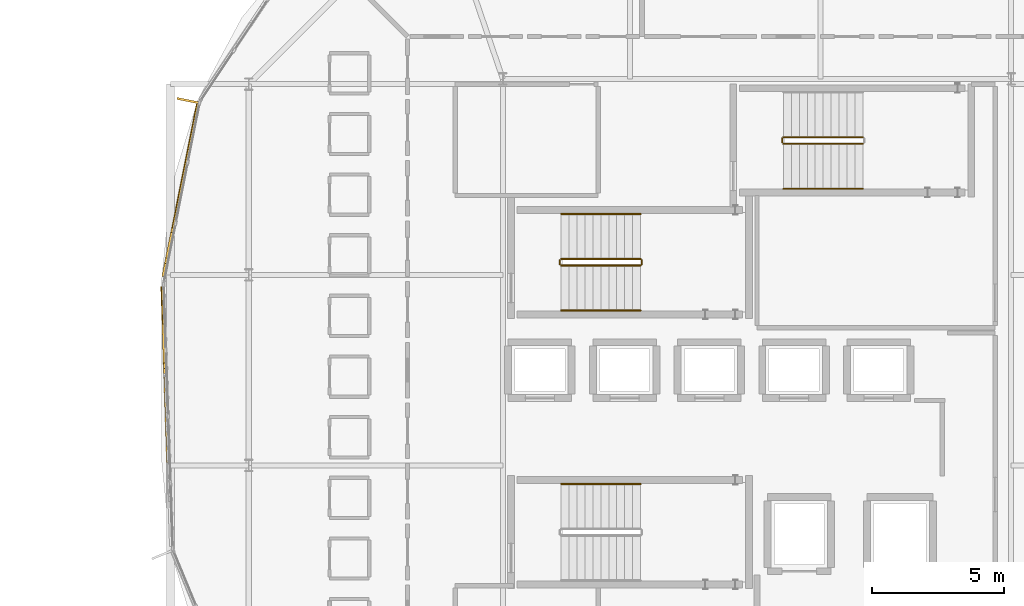
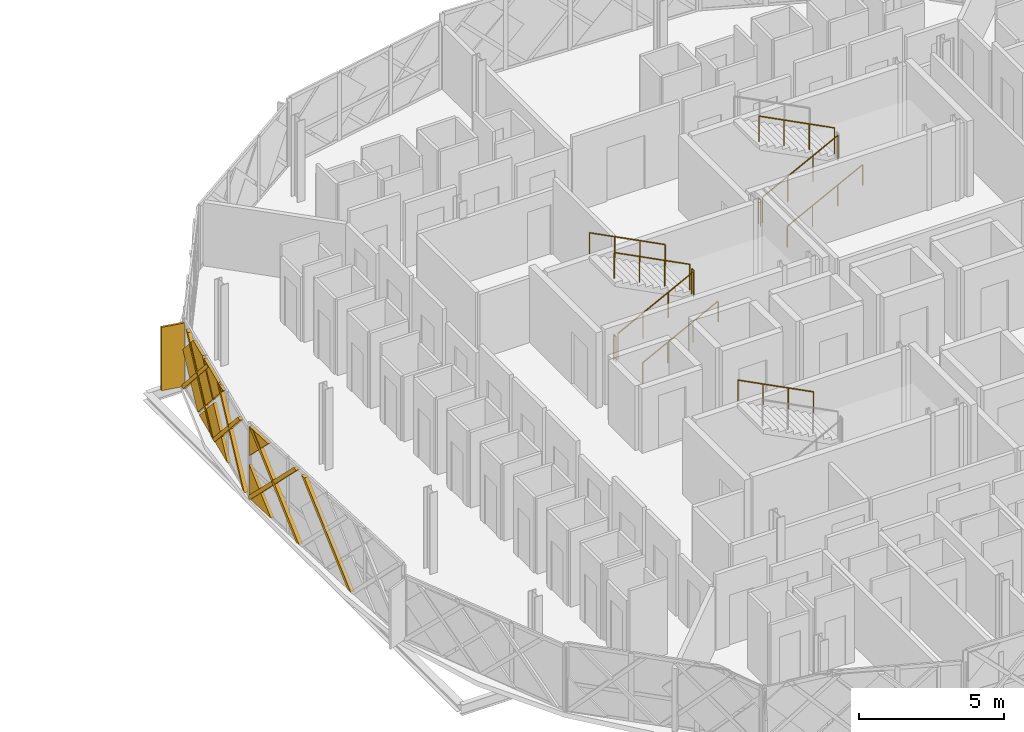
# One storey, part 22 of 25: 12 coverings, 11 railings, 1 shading device.
"""IFC4 building model written with IfcOpenShell, lengths in metres."""

from ifc_helpers import new_model, si_unit, direction, frame, origin, origin_2d, place, context, subcontext, project, spatial, polyline, rectangle, circle, outline, extrude, material, layer, layer_set, type_object, element, save


model = new_model("IFC4")

# Units and contexts
model_context = context("Model", 3, precision=1e-05, world=origin(), true_north=direction((0.0, 1.0)))
body_context = subcontext(model_context, "Body", "Model", "MODEL_VIEW")
ifc_project = project(units=[si_unit("LENGTHUNIT", "METRE"), si_unit("AREAUNIT", "SQUARE_METRE"), si_unit("VOLUMEUNIT", "CUBIC_METRE"), si_unit("PLANEANGLEUNIT", "RADIAN"), si_unit("MASSUNIT", "GRAM", prefix="KILO")], contexts=[model_context])

# Site, building, storey
site_placement = place(None, origin())
site = spatial("IfcSite", under=ifc_project, at=site_placement, CompositionType="ELEMENT")
building_placement = place(site_placement, origin())
building = spatial("IfcBuilding", under=site, at=building_placement, Name="Zevrakil Square Congress Hotel", CompositionType="ELEMENT")
storey_placement = place(building_placement, frame((0.0, 0.0, 28.300048828125)))
storey = spatial("IfcBuildingStorey", under=building, at=storey_placement, Name="L08", CompositionType="ELEMENT", Elevation=28.300048828125)

# Coverings
ifc_material_1 = material(Name="Architectural White Fibre-C GRC", Category="concrete")
ifc_layer_1 = layer(ifc_material_1, 0.06494140625)
ifc_layer_set_1 = layer_set([ifc_layer_1], Name="Architectural White Fibre-C GRC")
covering_type_1 = type_object("IfcCoveringType", Name="COV-DIA-WHITE", PredefinedType="CLADDING", material=ifc_layer_set_1)
covering_1_placement = place(storey_placement, frame((124.6044921875, 34.45361328125, 1.58984375), z_axis=(-0.98079136516, 0.195058894266, 0.00057078403), x_axis=(-0.138328919404, -0.693473739757, -0.707077988855)))
element("IfcCovering", 1, at=covering_1_placement, inside=storey, type_object=covering_type_1, Name="L08 45-degree white GRC diamond facade cassette 2882", PredefinedType="CLADDING", context=body_context, shape_type="SweptSolid", body=[
    extrude(outline(polyline([(0.0, 0.0), (2.135563246805707, 0.0), (-0.00010681349564167775, -2.13549684401508), (0.0, 0.0)])), origin(), (0.0, 0.0, -1.0), 0.1201171875),
])
covering_2_placement = place(storey_placement, frame((124.6220703125, 34.541748046875, 1.679931640625), z_axis=(-0.98078765818, 0.195077464423, 0.000593663356), x_axis=(0.137522901657, 0.693573532873, -0.707137331795)))
element("IfcCovering", 2, at=covering_2_placement, inside=storey, type_object=covering_type_1, Name="L08 45-degree white GRC diamond facade cassette 2883", PredefinedType="CLADDING", context=body_context, shape_type="SweptSolid", body=[
    extrude(outline(polyline([(0.0, 0.0), (2.248626632415, 2.220446049250313e-16), (2.2485344437590427, -2.234572992074805), (2.2343778858471324, -2.2487283217532865), (0.6928992321476605, -2.248800205875935), (-4.0082041305011806e-05, -1.5558007795066144), (0.0, 0.0)])), origin(), (0.0, 0.0, -1.0), 0.1201171875),
])
covering_3_placement = place(storey_placement, frame((124.6044921875, 34.45361328125, 1.77001953125), z_axis=(-0.980789036092, 0.195070055977, 0.000734808348), x_axis=(0.13844613012, 0.693427098638, 0.707100790502)))
element("IfcCovering", 3, at=covering_3_placement, inside=storey, type_object=covering_type_1, Name="L08 45-degree white GRC diamond facade cassette 2884", PredefinedType="CLADDING", context=body_context, shape_type="SweptSolid", body=[
    extrude(outline(polyline([(0.0, 0.0), (1.4283816100782398, 1.1102230246251565e-16), (9.305521501468128e-06, -1.4283488734323486), (0.0, 0.0)])), origin(), (0.0, 0.0, -1.0), 0.1201171875),
])
covering_4_placement = place(storey_placement, frame((123.942626953125, 29.34716796875, 0.079833984375), z_axis=(-0.999405965608, -0.034456304081, 0.000692109394), x_axis=(-0.034456312334, 0.999406204974, 0.0)))
element("IfcCovering", 4, at=covering_4_placement, inside=storey, type_object=covering_type_1, Name="L08 45-degree white GRC diamond facade cassette 2889", PredefinedType="CLADDING", context=body_context, shape_type="SweptSolid", body=[
    extrude(outline(polyline([(0.0, 0.0), (1.4100169485507428, -6.776263578034403e-21), (1.4099832998082296, -1.4101565877434112), (0.0, 0.0)])), origin(), (0.0, 0.0, -1.0), 0.1201171875),
])
covering_5_placement = place(storey_placement, frame((123.89501953125, 30.75634765625, 1.869873046875), z_axis=(-0.999412055385, -0.034276943874, 0.000796661662), x_axis=(0.000797130078, 0.0, 0.999999682292)))
element("IfcCovering", 5, at=covering_5_placement, inside=storey, type_object=covering_type_1, Name="L08 45-degree white GRC diamond facade cassette 2892", PredefinedType="CLADDING", context=body_context, shape_type="SweptSolid", body=[
    extrude(outline(polyline([(0.0, 0.0), (1.2250980454737324, 0.0), (1.225131518709411, -1.2250851275877632), (0.0, 0.0)])), origin(), (0.0, 0.0, -1.0), 0.1201171875),
])
ifc_material_2 = material(Name="Anodised Champagne Aluminium", Category="aluminium")
ifc_layer_2 = layer(ifc_material_2, 0.0849609375)
ifc_layer_set_2 = layer_set([ifc_layer_2], Name="Anodised Champagne Aluminium")
covering_type_2 = type_object("IfcCoveringType", Name="COV-DIAGRID-45", PredefinedType="MOLDING", material=ifc_layer_set_2)
covering_6_placement = place(storey_placement, frame((125.1982421875, 37.571533203125, 0.079833984375), z_axis=(-0.980743771524, 0.195297106425, 0.000833569453), x_axis=(0.195297174465, 0.980744112216, 2.3277e-07)))
element("IfcCovering", 6, at=covering_6_placement, inside=storey, type_object=covering_type_2, Name="L08 45-degree aluminium diagrid rib 2885", PredefinedType="MOLDING", context=body_context, shape_type="SweptSolid", body=[
    extrude(outline(polyline([(0.0, 0.0), (0.08613597848260436, -1.6940658945086007e-21), (0.0861360078630565, -0.1262206592735164), (-2.487890447725292, -2.7001968535557612), (-2.6999984807494384, -2.700196835097649), (0.0, 0.0)])), origin(), (0.0, 0.0, -1.0), 0.14501953125),
])
covering_7_placement = place(storey_placement, frame((124.542724609375, 34.276123046875, 0.079833984375), z_axis=(-0.980668412455, 0.195673274786, 0.001197642829), x_axis=(0.195673415118, 0.980669115765, 0.0)))
element("IfcCovering", 7, at=covering_7_placement, inside=storey, type_object=covering_type_2, Name="L08 45-degree aluminium diagrid rib 2886", PredefinedType="MOLDING", context=body_context, shape_type="SweptSolid", body=[
    extrude(outline(polyline([(0.0, 0.0), (0.21210804863334146, 0.0), (-2.48789001868641, -2.7001972490124215), (-2.6999980673197514, -2.7001972490124215), (0.0, 0.0)])), origin(), (0.0, 0.0, -1.0), 0.14501953125),
])
covering_8_placement = place(storey_placement, frame((125.143798828125, 37.288818359375, 2.780029296875), z_axis=(-0.980669115733, 0.195673415111, 8.117502e-06), x_axis=(-0.195673415118, -0.980669115765, 0.0)))
element("IfcCovering", 8, at=covering_8_placement, inside=storey, type_object=covering_type_2, Name="L08 45-degree aluminium diagrid rib 2887", PredefinedType="MOLDING", context=body_context, shape_type="SweptSolid", body=[
    extrude(outline(polyline([(0.0, 0.0), (0.21210804863334146, 0.0), (2.9120088862287843, -2.700195312588963), (2.6999008375954427, -2.700195312588963), (0.0, 0.0)])), origin(), (0.0, 0.0, -1.0), 0.14501953125),
])
covering_9_placement = place(storey_placement, frame((124.48828125, 33.993408203125, 2.780029296875), z_axis=(-0.980691126172, 0.195563039823, 0.000111812716), x_axis=(-0.195563041047, -0.980691132302, -1.2584e-08)))
element("IfcCovering", 9, at=covering_9_placement, inside=storey, type_object=covering_type_2, Name="L08 45-degree aluminium diagrid rib 2888", PredefinedType="MOLDING", context=body_context, shape_type="SweptSolid", body=[
    extrude(outline(polyline([(0.0, 0.0), (0.21210804728993782, 0.0), (2.9122483258445886, -2.7001952927302733), (2.699900852008679, -2.700195298071771), (0.0, 0.0)])), origin(), (0.0, 0.0, -1.0), 0.14501953125),
])
covering_10_placement = place(storey_placement, frame((123.8720703125, 30.66943359375, 0.079833984375), z_axis=(-0.999402739724, -0.034554083139, 0.000423285609), x_axis=(-0.034554086148, 0.999402829259, 2.04555e-07)))
element("IfcCovering", 10, at=covering_10_placement, inside=storey, type_object=covering_type_2, Name="L08 45-degree aluminium diagrid rib 2894", PredefinedType="MOLDING", context=body_context, shape_type="SweptSolid", body=[
    extrude(outline(polyline([(0.0, 0.0), (0.0859874133136873, 2.117582368135751e-22), (0.08598743913272301, -0.1262206918174706), (-2.8027433780437137, -3.0151375718211733), (-3.0150279681829497, -3.015137610551633), (0.0, 0.0)])), origin(), (0.0, 0.0, -1.0), 0.14501953125),
])
covering_11_placement = place(storey_placement, frame((123.872802734375, 30.696533203125, 3.094970703125), z_axis=(-0.999403720073, -0.034521717446, 0.000674780777), x_axis=(0.034521725315, -0.999403947601, 1.3411e-08)))
element("IfcCovering", 11, at=covering_11_placement, inside=storey, type_object=covering_type_2, Name="L08 45-degree aluminium diagrid rib 2897", PredefinedType="MOLDING", context=body_context, shape_type="SweptSolid", body=[
    extrude(outline(polyline([(0.0, 0.0), (0.21204059528258576, 0.0), (3.2271950974324186, -3.0151374484684), (3.0149105070454385, -3.0151374427779705), (0.0, 0.0)])), origin(), (0.0, 0.0, -1.0), 0.14501953125),
])
covering_12_placement = place(storey_placement, frame((123.988525390625, 27.338623046875, 3.094970703125), z_axis=(-0.999402959657, -0.034541576947, 0.000776975715), x_axis=(0.034541587373, -0.999403261322, 0.0)))
element("IfcCovering", 12, at=covering_12_placement, inside=storey, type_object=covering_type_2, Name="L08 45-degree aluminium diagrid rib 2898", PredefinedType="MOLDING", context=body_context, shape_type="SweptSolid", body=[
    extrude(outline(polyline([(0.0, 0.0), (0.21204059532446085, 8.470329472543003e-22), (3.227186663790363, -3.015137628856256), (3.015146068465902, -3.015137628856256), (0.0, 0.0)])), origin(), (0.0, 0.0, -1.0), 0.14501953125),
])

# Railings
ifc_material_3 = material(Name="Steel S355", Category="steel")
railing_type_1 = type_object("IfcRailingType", Name="RLG-STAIR-GUARD-1100", PredefinedType="BALUSTRADE", material=ifc_material_3)
railing_1_placement = place(storey_placement, frame((139.0, 31.550048828125, 0.154541015625)))
element("IfcRailing", 13, at=railing_1_placement, inside=storey, type_object=railing_type_1, Name="L08 ST02 stair guard 1", PredefinedType="BALUSTRADE", context=body_context, shape_type="SweptSolid", body=[
    extrude(circle(Radius=0.02392578125, at=origin_2d()), frame((0.0, 0.0, 1.076171875), z_axis=(0.888979911393, 0.0, 0.45794619459), x_axis=(0.0, 1.0, 0.0)), (0.0, 0.0, 1.0), 3.374755859375),
    extrude(circle(Radius=0.02099609375, at=origin_2d()), origin(), (0.0, 0.0, 1.0), 1.052001953125),
    extrude(circle(Radius=0.02099609375, at=origin_2d()), frame((1.0, 0.0, 0.51513671875)), (0.0, 0.0, 1.0), 1.052001953125),
    extrude(circle(Radius=0.02099609375, at=origin_2d()), frame((2.0, 0.0, 1.0302734375)), (0.0, 0.0, 1.0), 1.052001953125),
    extrude(circle(Radius=0.02099609375, at=origin_2d()), frame((3.0, 0.0, 1.54541015625)), (0.0, 0.0, 1.0), 1.052001953125),
])
railing_2_placement = place(storey_placement, frame((142.050048828125, 31.60009765625, 1.699951171875)))
element("IfcRailing", 14, at=railing_2_placement, inside=storey, type_object=railing_type_1, Name="L08 ST02 stair guard 2", PredefinedType="BALUSTRADE", context=body_context, shape_type="SweptSolid", body=[
    extrude(circle(Radius=0.02392578125, at=origin_2d()), frame((0.0, 0.0, 1.076171875), z_axis=(0.0, 1.0, 0.0), x_axis=(-1.0, 0.0, 0.0)), (0.0, 0.0, 1.0), 0.14990234375),
    extrude(circle(Radius=0.02099609375, at=origin_2d()), origin(), (0.0, 0.0, 1.0), 1.052001953125),
    extrude(circle(Radius=0.02099609375, at=origin_2d()), frame((0.0, 0.14990234375, 0.0)), (0.0, 0.0, 1.0), 1.052001953125),
])
railing_3_placement = place(storey_placement, frame((142.0, 31.800048828125, 1.8544921875)))
element("IfcRailing", 15, at=railing_3_placement, inside=storey, type_object=railing_type_1, Name="L08 ST02 stair guard 3", PredefinedType="BALUSTRADE", context=body_context, shape_type="SweptSolid", body=[
    extrude(circle(Radius=0.02392578125, at=origin_2d()), frame((0.0, 0.0, 1.076171875), z_axis=(-0.888979911393, 0.0, 0.45794619459), x_axis=(0.0, -1.0, 0.0)), (0.0, 0.0, 1.0), 3.374755859375),
    extrude(circle(Radius=0.02099609375, at=origin_2d()), origin(), (0.0, 0.0, 1.0), 1.052001953125),
    extrude(circle(Radius=0.02099609375, at=origin_2d()), frame((-1.0, 0.0, 0.51513671875)), (0.0, 0.0, 1.0), 1.052001953125),
    extrude(circle(Radius=0.02099609375, at=origin_2d()), frame((-2.0, 0.0, 1.0302734375)), (0.0, 0.0, 1.0), 1.052001953125),
    extrude(circle(Radius=0.02099609375, at=origin_2d()), frame((-3.0, 0.0, 1.54541015625)), (0.0, 0.0, 1.0), 1.052001953125),
])
railing_4_placement = place(storey_placement, frame((138.949951171875, 31.60009765625, 0.0)))
element("IfcRailing", 16, at=railing_4_placement, inside=storey, type_object=railing_type_1, Name="L08 ST02 stair guard 4", PredefinedType="BALUSTRADE", context=body_context, shape_type="SweptSolid", body=[
    extrude(circle(Radius=0.02392578125, at=origin_2d()), frame((0.0, 0.0, 1.076171875), z_axis=(0.0, 1.0, 0.0), x_axis=(-1.0, 0.0, 0.0)), (0.0, 0.0, 1.0), 0.14990234375),
    extrude(circle(Radius=0.02099609375, at=origin_2d()), origin(), (0.0, 0.0, 1.0), 1.052001953125),
    extrude(circle(Radius=0.02099609375, at=origin_2d()), frame((0.0, 0.14990234375, 0.0)), (0.0, 0.0, 1.0), 1.052001953125),
])
railing_5_placement = place(storey_placement, frame((147.39990234375, 36.14990234375, 0.154541015625)))
element("IfcRailing", 17, at=railing_5_placement, inside=storey, type_object=railing_type_1, Name="L08 ST03 stair guard 1", PredefinedType="BALUSTRADE", context=body_context, shape_type="SweptSolid", body=[
    extrude(circle(Radius=0.02392578125, at=origin_2d()), frame((0.0, 0.0, 1.076171875), z_axis=(0.888979911393, 0.0, 0.45794619459), x_axis=(0.0, 1.0, 0.0)), (0.0, 0.0, 1.0), 3.374755859375),
    extrude(circle(Radius=0.02099609375, at=origin_2d()), origin(), (0.0, 0.0, 1.0), 1.052001953125),
    extrude(circle(Radius=0.02099609375, at=origin_2d()), frame((1.0, 0.0, 0.51513671875)), (0.0, 0.0, 1.0), 1.052001953125),
    extrude(circle(Radius=0.02099609375, at=origin_2d()), frame((2.0, 0.0, 1.0302734375)), (0.0, 0.0, 1.0), 1.052001953125),
    extrude(circle(Radius=0.02099609375, at=origin_2d()), frame((3.0, 0.0, 1.54541015625)), (0.0, 0.0, 1.0), 1.052001953125),
])
railing_6_placement = place(storey_placement, frame((150.39990234375, 36.39990234375, 1.8544921875)))
element("IfcRailing", 18, at=railing_6_placement, inside=storey, type_object=railing_type_1, Name="L08 ST03 stair guard 3", PredefinedType="BALUSTRADE", context=body_context, shape_type="SweptSolid", body=[
    extrude(circle(Radius=0.02392578125, at=origin_2d()), frame((0.0, 0.0, 1.076171875), z_axis=(-0.888979911393, 0.0, 0.45794619459), x_axis=(0.0, -1.0, 0.0)), (0.0, 0.0, 1.0), 3.374755859375),
    extrude(circle(Radius=0.02099609375, at=origin_2d()), origin(), (0.0, 0.0, 1.0), 1.052001953125),
    extrude(circle(Radius=0.02099609375, at=origin_2d()), frame((-1.0, 0.0, 0.51513671875)), (0.0, 0.0, 1.0), 1.052001953125),
    extrude(circle(Radius=0.02099609375, at=origin_2d()), frame((-2.0, 0.0, 1.0302734375)), (0.0, 0.0, 1.0), 1.052001953125),
    extrude(circle(Radius=0.02099609375, at=origin_2d()), frame((-3.0, 0.0, 1.54541015625)), (0.0, 0.0, 1.0), 1.052001953125),
])
railing_7_placement = place(storey_placement, frame((147.35009765625, 36.199951171875, 0.0)))
element("IfcRailing", 19, at=railing_7_placement, inside=storey, type_object=railing_type_1, Name="L08 ST03 stair guard 4", PredefinedType="BALUSTRADE", context=body_context, shape_type="SweptSolid", body=[
    extrude(circle(Radius=0.02392578125, at=origin_2d()), frame((0.0, 0.0, 1.076171875), z_axis=(0.0, 1.0, 0.0), x_axis=(-1.0, 0.0, 0.0)), (0.0, 0.0, 1.0), 0.150146484375),
    extrude(circle(Radius=0.02099609375, at=origin_2d()), origin(), (0.0, 0.0, 1.0), 1.052001953125),
    extrude(circle(Radius=0.02099609375, at=origin_2d()), frame((0.0, 0.150146484375, 0.0)), (0.0, 0.0, 1.0), 1.052001953125),
])
ifc_material_4 = material(Name="Steel S355", Category="steel")
railing_type_2 = type_object("IfcRailingType", Name="RLG-STAIR-HAND-900", PredefinedType="HANDRAIL", material=ifc_material_4)
railing_8_placement = place(storey_placement, frame((142.0, 23.300048828125, 1.8544921875)))
element("IfcRailing", 20, at=railing_8_placement, inside=storey, type_object=railing_type_2, Name="L08 ST01 stair handrail 2", PredefinedType="HANDRAIL", context=body_context, shape_type="SweptSolid", body=[
    extrude(circle(Radius=0.02392578125, at=origin_2d()), frame((0.0, 0.0, 0.8759765625), z_axis=(-0.888979911393, 0.0, 0.45794619459), x_axis=(0.0, -1.0, 0.0)), (0.0, 0.0, 1.0), 3.374755859375),
    extrude(circle(Radius=0.02099609375, at=origin_2d()), origin(), (0.0, 0.0, 1.0), 0.851806640625),
    extrude(circle(Radius=0.02099609375, at=origin_2d()), frame((-1.0, 0.0, 0.51513671875)), (0.0, 0.0, 1.0), 0.851806640625),
    extrude(circle(Radius=0.02099609375, at=origin_2d()), frame((-2.0, 0.0, 1.0302734375)), (0.0, 0.0, 1.0), 0.851806640625),
    extrude(circle(Radius=0.02099609375, at=origin_2d()), frame((-3.0, 0.0, 1.54541015625)), (0.0, 0.0, 1.0), 0.851806640625),
])
railing_9_placement = place(storey_placement, frame((139.0, 29.85009765625, 0.154541015625)))
element("IfcRailing", 21, at=railing_9_placement, inside=storey, type_object=railing_type_2, Name="L08 ST02 stair handrail 1", PredefinedType="HANDRAIL", context=body_context, shape_type="SweptSolid", body=[
    extrude(circle(Radius=0.02392578125, at=origin_2d()), frame((0.0, 0.0, 0.8759765625), z_axis=(0.888979911393, 0.0, 0.45794619459), x_axis=(0.0, 1.0, 0.0)), (0.0, 0.0, 1.0), 3.374755859375),
    extrude(circle(Radius=0.02099609375, at=origin_2d()), origin(), (0.0, 0.0, 1.0), 0.851806640625),
    extrude(circle(Radius=0.02099609375, at=origin_2d()), frame((1.0, 0.0, 0.51513671875)), (0.0, 0.0, 1.0), 0.851806640625),
    extrude(circle(Radius=0.02099609375, at=origin_2d()), frame((2.0, 0.0, 1.0302734375)), (0.0, 0.0, 1.0), 0.851806640625),
    extrude(circle(Radius=0.02099609375, at=origin_2d()), frame((3.0, 0.0, 1.54541015625)), (0.0, 0.0, 1.0), 0.851806640625),
])
railing_10_placement = place(storey_placement, frame((142.0, 33.5, 1.8544921875)))
element("IfcRailing", 22, at=railing_10_placement, inside=storey, type_object=railing_type_2, Name="L08 ST02 stair handrail 2", PredefinedType="HANDRAIL", context=body_context, shape_type="SweptSolid", body=[
    extrude(circle(Radius=0.02392578125, at=origin_2d()), frame((0.0, 0.0, 0.8759765625), z_axis=(-0.888979911393, 0.0, 0.45794619459), x_axis=(0.0, -1.0, 0.0)), (0.0, 0.0, 1.0), 3.374755859375),
    extrude(circle(Radius=0.02099609375, at=origin_2d()), origin(), (0.0, 0.0, 1.0), 0.851806640625),
    extrude(circle(Radius=0.02099609375, at=origin_2d()), frame((-1.0, 0.0, 0.51513671875)), (0.0, 0.0, 1.0), 0.851806640625),
    extrude(circle(Radius=0.02099609375, at=origin_2d()), frame((-2.0, 0.0, 1.0302734375)), (0.0, 0.0, 1.0), 0.851806640625),
    extrude(circle(Radius=0.02099609375, at=origin_2d()), frame((-3.0, 0.0, 1.54541015625)), (0.0, 0.0, 1.0), 0.851806640625),
])
railing_11_placement = place(storey_placement, frame((147.39990234375, 34.449951171875, 0.154541015625)))
element("IfcRailing", 23, at=railing_11_placement, inside=storey, type_object=railing_type_2, Name="L08 ST03 stair handrail 1", PredefinedType="HANDRAIL", context=body_context, shape_type="SweptSolid", body=[
    extrude(circle(Radius=0.02392578125, at=origin_2d()), frame((0.0, 0.0, 0.8759765625), z_axis=(0.888979911393, 0.0, 0.45794619459), x_axis=(0.0, 1.0, 0.0)), (0.0, 0.0, 1.0), 3.374755859375),
    extrude(circle(Radius=0.02099609375, at=origin_2d()), origin(), (0.0, 0.0, 1.0), 0.851806640625),
    extrude(circle(Radius=0.02099609375, at=origin_2d()), frame((1.0, 0.0, 0.51513671875)), (0.0, 0.0, 1.0), 0.851806640625),
    extrude(circle(Radius=0.02099609375, at=origin_2d()), frame((2.0, 0.0, 1.0302734375)), (0.0, 0.0, 1.0), 0.851806640625),
    extrude(circle(Radius=0.02099609375, at=origin_2d()), frame((3.0, 0.0, 1.54541015625)), (0.0, 0.0, 1.0), 0.851806640625),
])

# Shading device
ifc_material_5 = material(Name="Aluminium Anodised Bronze", Category="aluminium")
shading_device_type = type_object("IfcShadingDeviceType", Name="SHD-FIN-85", PredefinedType="USERDEFINED", material=ifc_material_5)
shading_device_placement = place(storey_placement, frame((124.907958984375, 37.7783203125, 0.10009765625), z_axis=(0.0, 0.0, 1.0), x_axis=(-0.980785280403, 0.195090322016, 0.0)))
element("IfcShadingDevice", 24, at=shading_device_placement, inside=storey, type_object=shading_device_type, Name="L08 aluminium solar shading fin 160", ObjectType="SOLAR FIN", PredefinedType="USERDEFINED", context=body_context, shape_type="SweptSolid", body=[
    extrude(rectangle(XDim=0.85009765625, YDim=0.080078125, at=origin_2d()), origin(), (0.0, 0.0, 1.0), 2.659912109375),
])

save(model, "model.ifc")
